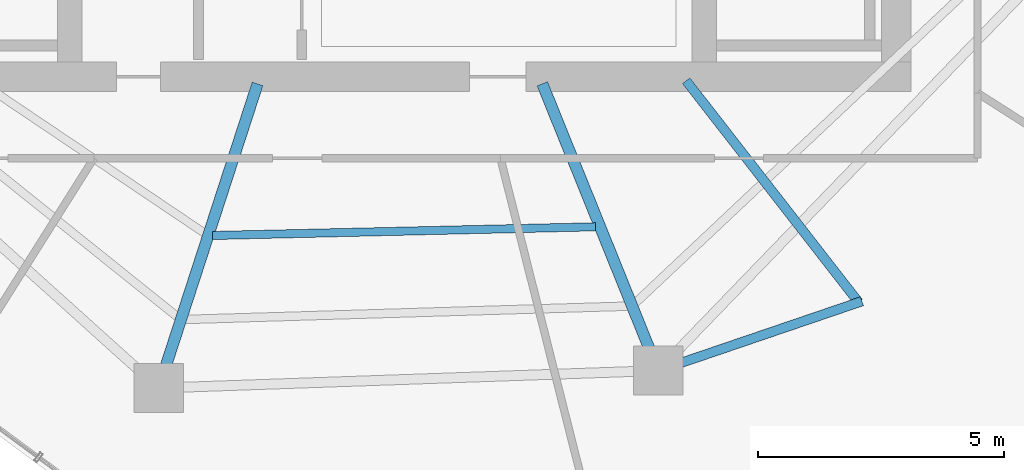
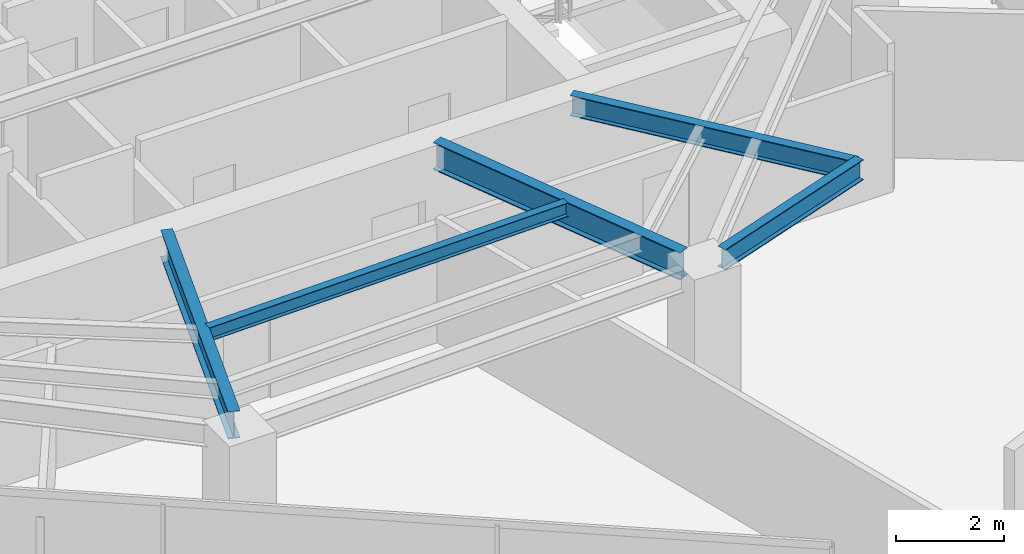
# One storey, part 5 of 22: 5 beams.
"""IFC4 building model written with IfcOpenShell, lengths in metres."""

from ifc_helpers import new_model, si_unit, direction, frame, origin, origin_2d, place, context, subcontext, project, spatial, i_section, extrude, material, material_profile, profile_set, type_object, element, save


model = new_model("IFC4")

# Units and contexts
model_context = context("Model", 3, precision=1e-05, world=origin(), true_north=direction((0.0, 1.0)))
body_context = subcontext(model_context, "Body", "Model", "MODEL_VIEW")
ifc_project = project(units=[si_unit("LENGTHUNIT", "METRE"), si_unit("AREAUNIT", "SQUARE_METRE"), si_unit("VOLUMEUNIT", "CUBIC_METRE"), si_unit("PLANEANGLEUNIT", "RADIAN"), si_unit("MASSUNIT", "GRAM", prefix="KILO")], contexts=[model_context])

# Site, building, storey
site_placement = place(None, origin())
site = spatial("IfcSite", under=ifc_project, at=site_placement, CompositionType="ELEMENT")
building_placement = place(site_placement, origin())
building = spatial("IfcBuilding", under=site, at=building_placement, Name="Qarnah Convention Tower", CompositionType="ELEMENT")
storey_placement = place(building_placement, frame((0.0, 0.0, 154.5)))
storey = spatial("IfcBuildingStorey", under=building, at=storey_placement, Name="L41", CompositionType="ELEMENT", Elevation=154.5)

# Beams
ifc_material = material(Name="Structural steel S355JR", Category="steel")
ifc_material_profile_1 = material_profile(ifc_material, i_section(OverallWidth=0.19189453125, OverallDepth=0.464111328125, WebThickness=0.010986328125, FlangeThickness=0.01806640625, at=origin_2d()), Name="W460X89")
ifc_profile_set_1 = profile_set([ifc_material_profile_1], Name="Structural steel S355JR")
beam_type_1 = type_object("IfcBeamType", Name="BM-CANT-W460A", PredefinedType="BEAM", material=ifc_profile_set_1)
beam_1_placement = place(storey_placement, frame((43.3310546875, 18.52099609375, 3.087890625), z_axis=(0.614224930977, -0.789130999369, 0.0), x_axis=(0.789130999369, 0.614224930977, 0.0)))
element("IfcBeam", 1, at=beam_1_placement, inside=storey, type_object=beam_type_1, Name="L41 beam BM-L41-CNT-03-1", PredefinedType="BEAM", context=body_context, shape_type="SweptSolid", body=[
    extrude(i_section(OverallWidth=0.19189453125, OverallDepth=0.464111328125, WebThickness=0.010986328125, FlangeThickness=0.01806640625, at=origin_2d()), origin(), (0.0, 0.0, 1.0), 5.706298828125),
])
beam_2_placement = place(storey_placement, frame((46.902099609375, 14.041015625, 3.087890625), z_axis=(-0.946581312558, -0.322465220939, 0.0), x_axis=(0.322465220939, -0.946581312558, 0.0)))
element("IfcBeam", 2, at=beam_2_placement, inside=storey, type_object=beam_type_1, Name="L41 spandrel BM-L41-CTIE-03", PredefinedType="SPANDREL", context=body_context, shape_type="SweptSolid", body=[
    extrude(i_section(OverallWidth=0.19189453125, OverallDepth=0.464111328125, WebThickness=0.010986328125, FlangeThickness=0.01806640625, at=origin_2d()), origin(), (0.0, 0.0, 1.0), 3.88232421875),
])
ifc_material_profile_2 = material_profile(ifc_material, i_section(OverallWidth=0.166015625, OverallDepth=0.31201171875, WebThickness=0.007080078125, FlangeThickness=0.010986328125, at=origin_2d()), Name="W310X45")
ifc_profile_set_2 = profile_set([ifc_material_profile_2], Name="Structural steel S355JR")
beam_type_2 = type_object("IfcBeamType", Name="BM-JST-W310", PredefinedType="JOIST", material=ifc_profile_set_2)
beam_3_placement = place(storey_placement, frame((33.7080078125, 15.376953125, 3.1640625), z_axis=(0.999741495438, 0.022736365137, 0.0), x_axis=(-0.022736365137, 0.999741495438, 0.0)))
element("IfcBeam", 3, at=beam_3_placement, inside=storey, type_object=beam_type_2, Name="L41 joist BM-L41-IJST-07", PredefinedType="JOIST", context=body_context, shape_type="SweptSolid", body=[
    extrude(i_section(OverallWidth=0.166015625, OverallDepth=0.31201171875, WebThickness=0.007080078125, FlangeThickness=0.010986328125, at=origin_2d()), origin(), (0.0, 0.0, 1.0), 7.784912109375),
])
ifc_material_profile_3 = material_profile(ifc_material, i_section(OverallWidth=0.22998046875, OverallDepth=0.617919921875, WebThickness=0.012939453125, FlangeThickness=0.02197265625, at=origin_2d()), Name="W610X140")
ifc_profile_set_3 = profile_set([ifc_material_profile_3], Name="Structural steel S355JR")
beam_type_3 = type_object("IfcBeamType", Name="BM-RAD-W610A", PredefinedType="BEAM", material=ifc_profile_set_3)
beam_4_placement = place(storey_placement, frame((34.6201171875, 18.45703125, 3.010986328125), z_axis=(-0.30919796314, -0.950997696942, 0.0), x_axis=(0.950997696942, -0.30919796314, 0.0)))
element("IfcBeam", 4, at=beam_4_placement, inside=storey, type_object=beam_type_3, Name="L41 beam BM-L41-RAD-07", PredefinedType="BEAM", context=body_context, shape_type="SweptSolid", body=[
    extrude(i_section(OverallWidth=0.22998046875, OverallDepth=0.617919921875, WebThickness=0.012939453125, FlangeThickness=0.02197265625, at=origin_2d()), origin(), (0.0, 0.0, 1.0), 6.01904296875),
])
beam_5_placement = place(storey_placement, frame((40.406982421875, 18.4609375, 3.010986328125), z_axis=(0.374656949885, -0.927163507642, 0.0), x_axis=(0.927163507642, 0.374656949885, 0.0)))
element("IfcBeam", 5, at=beam_5_placement, inside=storey, type_object=beam_type_3, Name="L41 beam BM-L41-RAD-08", PredefinedType="BEAM", context=body_context, shape_type="SweptSolid", body=[
    extrude(i_section(OverallWidth=0.22998046875, OverallDepth=0.617919921875, WebThickness=0.012939453125, FlangeThickness=0.02197265625, at=origin_2d()), origin(), (0.0, 0.0, 1.0), 5.80810546875),
])

save(model, "model.ifc")
